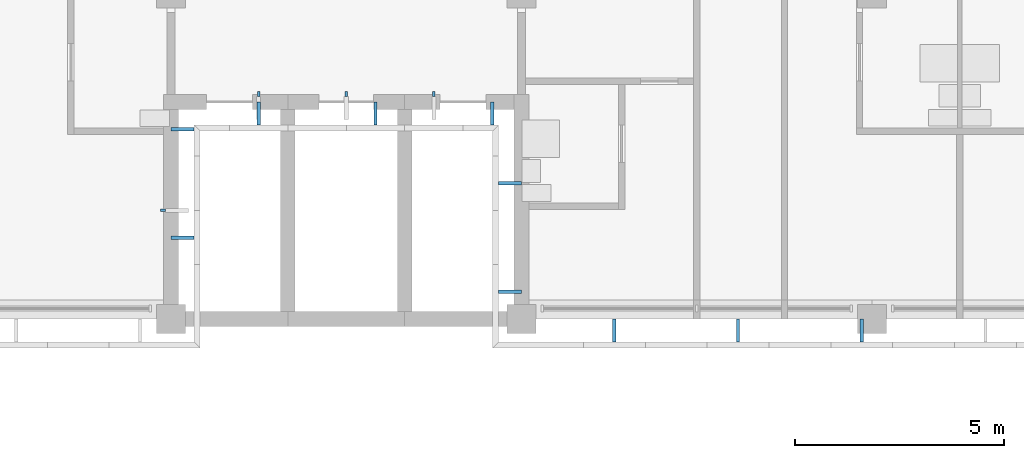
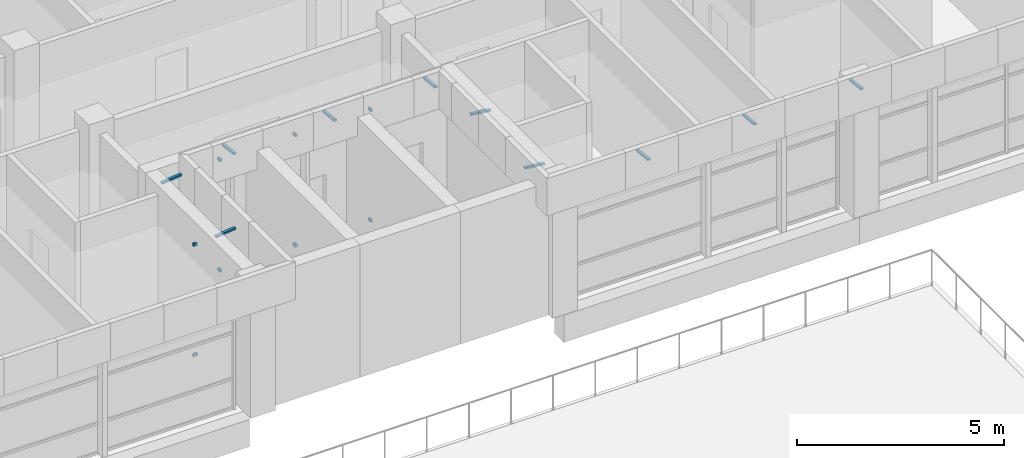
# One storey, part 34 of 46: 18 discrete accessories.
"""IFC4 building model written with IfcOpenShell, lengths in metres."""

from ifc_helpers import new_model, si_unit, direction, frame, origin, origin_2d, place, context, subcontext, project, spatial, rectangle, extrude, material, material_profile, profile_set, type_object, element, save


model = new_model("IFC4")

# Units and contexts
model_context = context("Model", 3, precision=1e-05, world=origin(), true_north=direction((0.0, 1.0)))
body_context = subcontext(model_context, "Body", "Model", "MODEL_VIEW")
ifc_project = project(units=[si_unit("LENGTHUNIT", "METRE"), si_unit("AREAUNIT", "SQUARE_METRE"), si_unit("VOLUMEUNIT", "CUBIC_METRE"), si_unit("PLANEANGLEUNIT", "RADIAN"), si_unit("MASSUNIT", "GRAM", prefix="KILO")], contexts=[model_context])

# Site, building, storey
site_placement = place(None, origin())
site = spatial("IfcSite", under=ifc_project, at=site_placement, CompositionType="ELEMENT")
building_placement = place(site_placement, origin())
building = spatial("IfcBuilding", under=site, at=building_placement, Name="Bougainvillea Quay General Hospital", CompositionType="ELEMENT")
storey_placement = place(building_placement, frame((0.0, 0.0, 28.800048828125)))
storey = spatial("IfcBuildingStorey", under=building, at=storey_placement, Name="L06", CompositionType="ELEMENT", Elevation=28.800048828125)

# Discrete accessories
ifc_material = material(Name="Stainless steel bracket, grade 316", Category="steel")
discrete_accessory_type_1 = type_object("IfcDiscreteAccessoryType", Name="Stainless steel fin arm 60x80", PredefinedType="BRACKET", material=ifc_material)
for number, where, z_axis, x_axis, name in (
    (1, (151.010009765625, 143.0, 0.0), (0.0, 0.0, 1.0), (1.0, 0.0, 0.0), "Fin arm V5A L06 07.1B"),
    (2, (151.010009765625, 143.0, 3.25), (0.0, 0.0, 1.0), (1.0, 0.0, 0.0), "Fin arm V5A L06 07.1T"),
    (3, (157.5, 145.7900390625, 0.0), (0.0, 0.0, 1.0), (0.0, -1.0, 0.0), "Fin arm V5A L06 08.1B"),
    (4, (157.5, 145.7900390625, 3.25), (0.0, 0.0, 1.0), (0.0, -1.0, 0.0), "Fin arm V5A L06 08.1T"),
    (5, (155.39990234375, 145.7900390625, 0.0), (0.0, 0.0, 1.0), (0.0, -1.0, 0.0), "Fin arm V5A L06 08.2B"),
    (6, (155.39990234375, 145.7900390625, 3.25), (0.0, 0.0, 1.0), (0.0, -1.0, 0.0), "Fin arm V5A L06 08.2T"),
    (7, (153.300048828125, 145.7900390625, 0.0), (0.0, 0.0, 1.0), (0.0, -1.0, 0.0), "Fin arm V5A L06 08.3B"),
    (8, (153.300048828125, 145.7900390625, 3.25), (0.0, 0.0, 1.0), (0.0, -1.0, 0.0), "Fin arm V5A L06 08.3T"),
):
    element("IfcDiscreteAccessory", number, at=place(storey_placement, frame(where, z_axis=z_axis, x_axis=x_axis)), inside=storey, type_object=discrete_accessory_type_1, Name=name, PredefinedType="BRACKET", context=body_context, shape_type="SweptSolid", body=[
        extrude(rectangle(XDim=0.1201171875, YDim=0.06005859375, at=origin_2d()), origin(), (0.0, 0.0, 1.0), 0.080078125),
    ])
ifc_material_profile = material_profile(ifc_material, rectangle(XDim=0.080078125, YDim=0.050048828125, at=origin_2d()))
ifc_profile_set = profile_set([ifc_material_profile], Name="Stainless steel bracket, grade 316")
discrete_accessory_type_2 = type_object("IfcDiscreteAccessoryType", Name="Stainless steel stand-off bracket 80x50", PredefinedType="BRACKET", material=ifc_profile_set)
for number, where, z_axis, x_axis, name in (
    (9, (151.199951171875, 142.35009765625, 3.83984375), (0.994091793559, 0.0, 0.108542645901), (0.0, 1.0, 0.0), "Fascia bracket e0 193"),
    (10, (151.199951171875, 144.949951171875, 3.83984375), (0.994091793559, 0.0, 0.108542645901), (0.0, 1.0, 0.0), "Fascia bracket e0 195"),
    (11, (153.300048828125, 145.60009765625, 3.83984375), (0.0, -0.994091793559, 0.108542645901), (1.0, 0.0, 0.0), "Fascia bracket e0 197"),
    (12, (156.10009765625, 145.60009765625, 3.83984375), (0.0, -0.994091793559, 0.108542645901), (1.0, 0.0, 0.0), "Fascia bracket e0 199"),
    (13, (158.89990234375, 145.60009765625, 3.83984375), (0.0, -0.994091793559, 0.108542645901), (1.0, 0.0, 0.0), "Fascia bracket e0 201"),
    (14, (159.60009765625, 143.64990234375, 3.83984375), (-0.994091793559, 0.0, 0.108542645901), (0.0, -1.0, 0.0), "Fascia bracket e0 203"),
    (15, (159.60009765625, 141.050048828125, 3.83984375), (-0.994091793559, 0.0, 0.108542645901), (0.0, -1.0, 0.0), "Fascia bracket e0 205"),
):
    element("IfcDiscreteAccessory", number, at=place(storey_placement, frame(where, z_axis=z_axis, x_axis=x_axis)), inside=storey, type_object=discrete_accessory_type_2, Name=name, PredefinedType="BRACKET", context=body_context, shape_type="SweptSolid", body=[
        extrude(rectangle(XDim=0.080078125, YDim=0.050048828125, at=origin_2d()), origin(), (0.0, 0.0, 1.0), 0.55322265625),
    ])
for number, where, z_axis, x_axis, name in (
    (16, (161.823486328125, 140.39990234375, 3.83984375), (0.0, -0.994086591779, 0.108590276011), (1.0, 0.0, 0.0), "Fascia bracket e0 207"),
    (17, (164.788330078125, 140.39990234375, 3.83984375), (0.0, -0.994086591779, 0.108590276011), (1.0, 0.0, 0.0), "Fascia bracket e0 209"),
    (18, (167.7529296875, 140.39990234375, 3.83984375), (0.0, -0.994086591779, 0.108590276011), (1.0, 0.0, 0.0), "Fascia bracket e0 211"),
):
    element("IfcDiscreteAccessory", number, at=place(storey_placement, frame(where, z_axis=z_axis, x_axis=x_axis)), inside=storey, type_object=discrete_accessory_type_2, Name=name, PredefinedType="BRACKET", context=body_context, shape_type="SweptSolid", body=[
        extrude(rectangle(XDim=0.080078125, YDim=0.050048828125, at=origin_2d()), origin(), (0.0, 0.0, 1.0), 0.552978515625),
    ])

save(model, "model.ifc")
